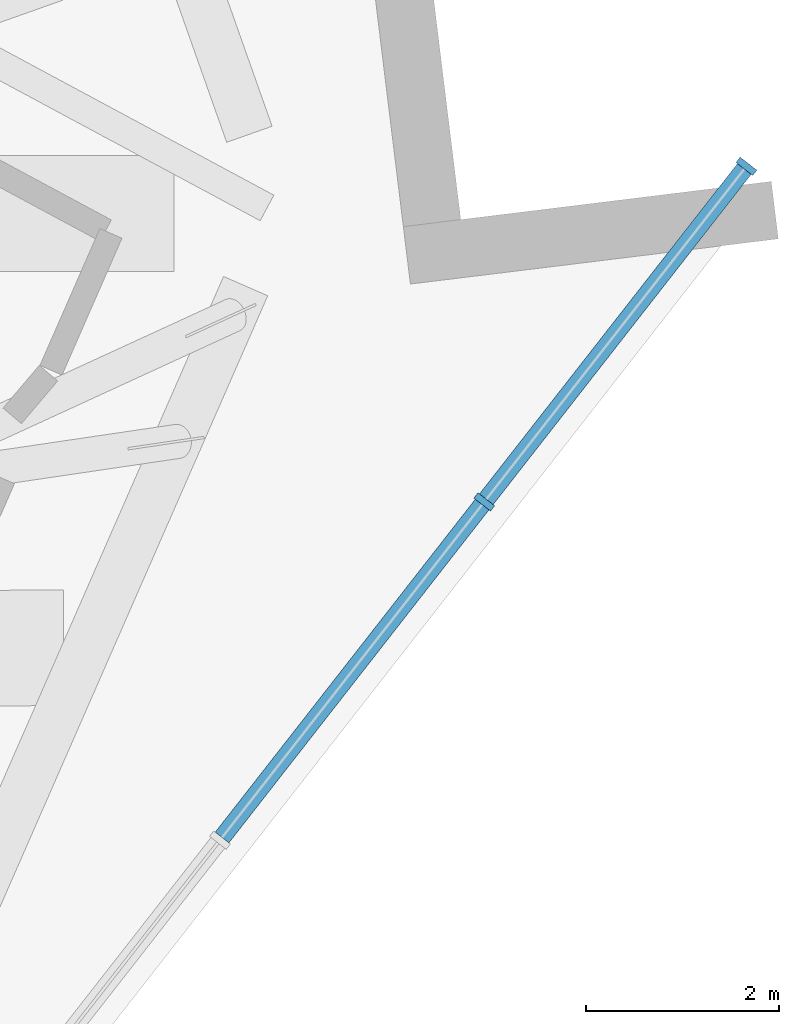
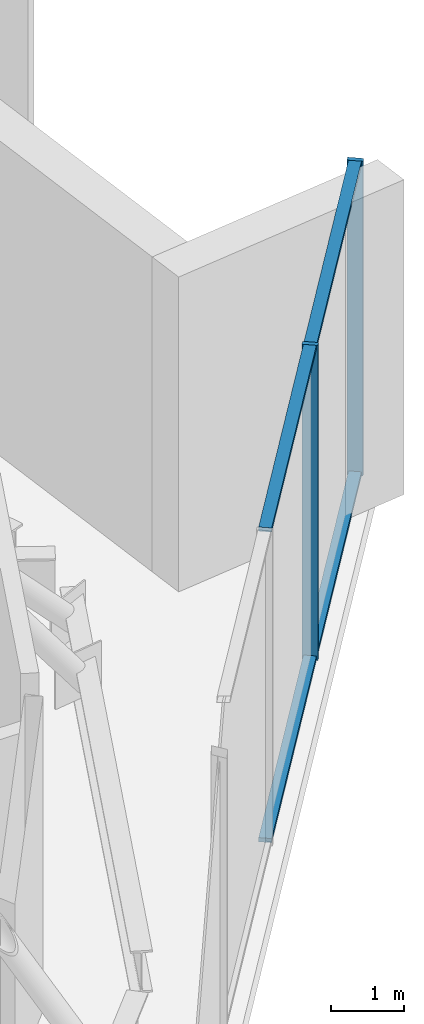
# One storey, part 9 of 23: 6 members, 1 element without a shape of its own.
"""IFC4 building model written with IfcOpenShell, lengths in metres."""

from ifc_helpers import new_model, si_unit, direction, frame, origin, origin_2d, place, context, subcontext, project, spatial, rectangle, extrude, material, material_profile, profile_set, type_object, element, aggregate, save


model = new_model("IFC4")

# Units and contexts
model_context = context("Model", 3, precision=1e-05, world=origin(), true_north=direction((0.0, 1.0)))
body_context = subcontext(model_context, "Body", "Model", "MODEL_VIEW")
ifc_project = project(units=[si_unit("LENGTHUNIT", "METRE"), si_unit("AREAUNIT", "SQUARE_METRE"), si_unit("VOLUMEUNIT", "CUBIC_METRE"), si_unit("PLANEANGLEUNIT", "RADIAN"), si_unit("MASSUNIT", "GRAM", prefix="KILO")], contexts=[model_context])

# Site, building, storey
site_placement = place(None, origin())
site = spatial("IfcSite", under=ifc_project, at=site_placement, CompositionType="ELEMENT")
building_placement = place(site_placement, origin())
building = spatial("IfcBuilding", under=site, at=building_placement, Name="Dilmun Exchange Tower", CompositionType="ELEMENT")
storey_placement = place(building_placement, frame((0.0, 0.0, 237.300048828125)))
storey = spatial("IfcBuildingStorey", under=building, at=storey_placement, Name="L56", CompositionType="ELEMENT", Elevation=237.300048828125)

# Curtain wall, members
ifc_material_1 = material(Name="Anodised aluminium and clear glass", Category="aluminium")
curtain_wall_type = type_object("IfcCurtainWallType", Name="Sky lobby glazing", PredefinedType="NOTDEFINED", material=ifc_material_1)
curtain_wall_placement = place(storey_placement, origin())
curtain_wall = element("IfcCurtainWall", 1, at=curtain_wall_placement, inside=storey, type_object=curtain_wall_type, Name="Sky lobby glazing run SL12", PredefinedType="NOTDEFINED")
ifc_material_2 = material(Name="Anodised aluminium", Category="aluminium")
ifc_material_profile_1 = material_profile(ifc_material_2, rectangle(XDim=0.219970703125, YDim=0.070068359375, at=origin_2d()), Name="AL 70x220")
ifc_profile_set_1 = profile_set([ifc_material_profile_1], Name="Anodised aluminium")
member_type_1 = type_object("IfcMemberType", Name="Sky lobby glazing mullion 70 x 220", PredefinedType="MULLION", material=ifc_profile_set_1)
member_1_placement = place(storey_placement, frame((31.80517578125, 0.589111328125, 0.0), z_axis=(0.0, 0.0, 1.0), x_axis=(-0.78801066701, 0.615661586164, 0.0)))
member_1 = element("IfcMember", 2, at=member_1_placement, type_object=member_type_1, Name="SL12 mullion 11", PredefinedType="MULLION", context=body_context, shape_type="SweptSolid", body=[
    extrude(rectangle(XDim=0.219970703125, YDim=0.070068359375, at=origin_2d()), origin(), (0.0, 0.0, 1.0), 5.239990234375),
])
member_2_placement = place(storey_placement, frame((34.526123046875, 4.07177734375, 0.0), z_axis=(0.0, 0.0, 1.0), x_axis=(-0.78801066701, 0.615661586164, 0.0)))
member_2 = element("IfcMember", 3, at=member_2_placement, type_object=member_type_1, Name="SL12 mullion 12", PredefinedType="MULLION", context=body_context, shape_type="SweptSolid", body=[
    extrude(rectangle(XDim=0.219970703125, YDim=0.070068359375, at=origin_2d()), origin(), (0.0, 0.0, 1.0), 5.239990234375),
])
ifc_material_profile_2 = material_profile(ifc_material_2, rectangle(XDim=0.179931640625, YDim=0.070068359375, at=origin_2d()), Name="AL 70x180")
ifc_profile_set_2 = profile_set([ifc_material_profile_2], Name="Anodised aluminium")
member_type_2 = type_object("IfcMemberType", Name="Sky lobby glazing transom 70 x 180", PredefinedType="USERDEFINED", material=ifc_profile_set_2)
member_3_placement = place(storey_placement, frame((29.084228515625, -2.8935546875, 0.034912109375), z_axis=(0.615635397336, 0.78803112727, 0.0), x_axis=(-0.78803112727, 0.615635397336, 0.0)))
member_3 = element("IfcMember", 4, at=member_3_placement, type_object=member_type_2, Name="SL12 transom 10.1", ObjectType="TRANSOM", PredefinedType="USERDEFINED", context=body_context, shape_type="SweptSolid", body=[
    extrude(rectangle(XDim=0.179931640625, YDim=0.070068359375, at=origin_2d()), origin(), (0.0, 0.0, 1.0), 4.384521484375),
])
member_4_placement = place(storey_placement, frame((29.084228515625, -2.8935546875, 5.204833984375), z_axis=(0.615635397336, 0.78803112727, 0.0), x_axis=(-0.78803112727, 0.615635397336, 0.0)))
member_4 = element("IfcMember", 5, at=member_4_placement, type_object=member_type_2, Name="SL12 transom 10.2", ObjectType="TRANSOM", PredefinedType="USERDEFINED", context=body_context, shape_type="SweptSolid", body=[
    extrude(rectangle(XDim=0.179931640625, YDim=0.070068359375, at=origin_2d()), origin(), (0.0, 0.0, 1.0), 4.384521484375),
])
member_5_placement = place(storey_placement, frame((31.82666015625, 0.61669921875, 0.034912109375), z_axis=(0.615645131234, 0.788023522738, 0.0), x_axis=(-0.788023522738, 0.615645131234, 0.0)))
member_5 = element("IfcMember", 6, at=member_5_placement, type_object=member_type_2, Name="SL12 transom 11.1", ObjectType="TRANSOM", PredefinedType="USERDEFINED", context=body_context, shape_type="SweptSolid", body=[
    extrude(rectangle(XDim=0.179931640625, YDim=0.070068359375, at=origin_2d()), origin(), (0.0, 0.0, 1.0), 4.349365234375),
])
member_6_placement = place(storey_placement, frame((31.82666015625, 0.61669921875, 5.204833984375), z_axis=(0.615645131234, 0.788023522738, 0.0), x_axis=(-0.788023522738, 0.615645131234, 0.0)))
member_6 = element("IfcMember", 7, at=member_6_placement, type_object=member_type_2, Name="SL12 transom 11.2", ObjectType="TRANSOM", PredefinedType="USERDEFINED", context=body_context, shape_type="SweptSolid", body=[
    extrude(rectangle(XDim=0.179931640625, YDim=0.070068359375, at=origin_2d()), origin(), (0.0, 0.0, 1.0), 4.349365234375),
])
aggregate(curtain_wall, [member_1, member_2, member_3, member_4, member_5, member_6])

save(model, "model.ifc")
